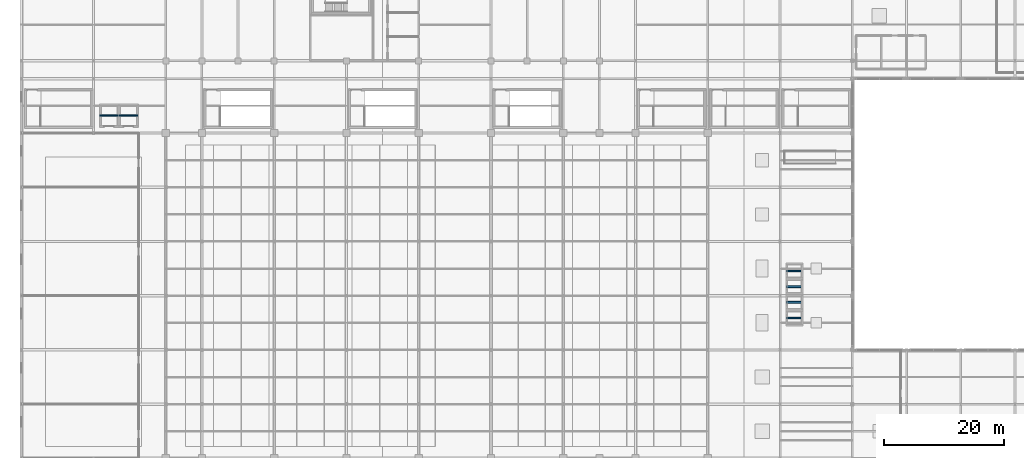
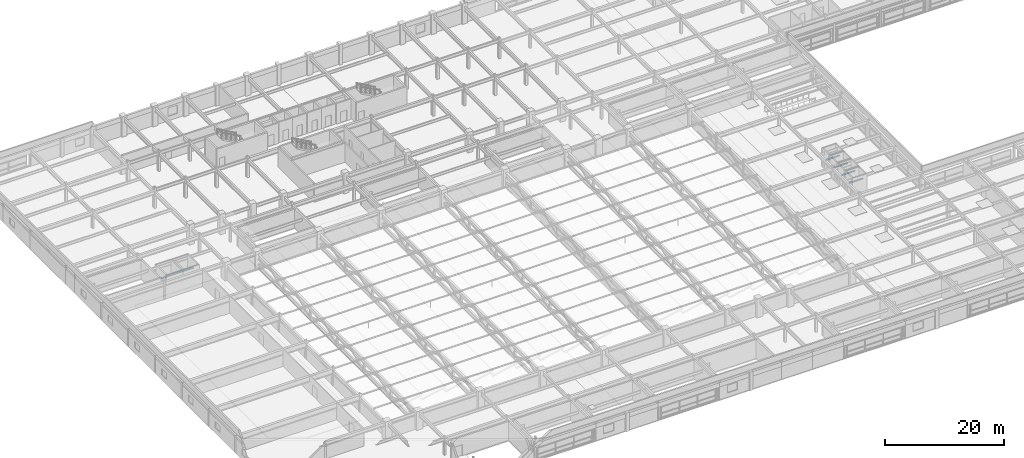
# One storey, part 104 of 108: 6 discrete accessories.
"""IFC4 building model written with IfcOpenShell, lengths in metres."""

from ifc_helpers import new_model, si_unit, direction, frame, origin, origin_2d, place, context, subcontext, project, spatial, rectangle, extrude, material, type_object, element, save


model = new_model("IFC4")

# Units and contexts
model_context = context("Model", 3, precision=1e-05, world=origin(), true_north=direction((0.0, 1.0)))
body_context = subcontext(model_context, "Body", "Model", "MODEL_VIEW")
ifc_project = project(units=[si_unit("LENGTHUNIT", "METRE"), si_unit("AREAUNIT", "SQUARE_METRE"), si_unit("VOLUMEUNIT", "CUBIC_METRE"), si_unit("PLANEANGLEUNIT", "RADIAN"), si_unit("MASSUNIT", "GRAM", prefix="KILO")], contexts=[model_context])

# Site, building, storey
site_placement = place(None, origin())
site = spatial("IfcSite", under=ifc_project, at=site_placement, CompositionType="ELEMENT")
building_placement = place(site_placement, origin())
building = spatial("IfcBuilding", under=site, at=building_placement, Name="Kaldorvane Square Convention Centre", CompositionType="ELEMENT")
storey_placement = place(building_placement, frame((0.0, 0.0, 23.399993896484375)))
storey = spatial("IfcBuildingStorey", under=building, at=storey_placement, Name="L04", CompositionType="ELEMENT", Elevation=23.399993896484375)

# Discrete accessories
ifc_material = material(Name="Architectural Painted Steel", Category="steel")
discrete_accessory_type = type_object("IfcDiscreteAccessoryType", Name="AC-LFT-BEAM", PredefinedType="BRACKET", material=ifc_material)
for number, where, z_axis, x_axis, name in (
    (1, (128.39999389648438, 41.30000305175781, 2.010009765625), (0.0, 0.0, 1.0), (1.0, 0.0, 0.0), "Elevator Overhead Sheave Support EL-C1"),
    (2, (128.39999389648438, 43.899993896484375, 2.010009765625), (0.0, 0.0, 1.0), (1.0, 0.0, 0.0), "Elevator Overhead Sheave Support EL-C2"),
    (3, (128.39999389648438, 46.5, 2.010009765625), (0.0, 0.0, 1.0), (1.0, 0.0, 0.0), "Elevator Overhead Sheave Support EL-C3"),
    (4, (128.39999389648438, 49.100006103515625, 2.010009765625), (0.0, 0.0, 1.0), (1.0, 0.0, 0.0), "Elevator Overhead Sheave Support EL-C4"),
):
    element("IfcDiscreteAccessory", number, at=place(storey_placement, frame(where, z_axis=z_axis, x_axis=x_axis)), inside=storey, type_object=discrete_accessory_type, Name=name, PredefinedType="BRACKET", context=body_context, shape_type="SweptSolid", body=[
        extrude(rectangle(XDim=2.6999969482421875, YDim=0.279998779296875, at=origin_2d()), origin(), (0.0, 0.0, 1.0), 0.1999969482421875),
    ])
for number, where, z_axis, x_axis, name in (
    (5, (14.600006103515625, 74.89999389648438, 2.010009765625), (0.0, 0.0, 1.0), (1.0, 0.0, 0.0), "Elevator Overhead Sheave Support EL-G1"),
    (6, (17.800003051757812, 74.89999389648438, 2.010009765625), (0.0, 0.0, 1.0), (1.0, 0.0, 0.0), "Elevator Overhead Sheave Support EL-G2"),
):
    element("IfcDiscreteAccessory", number, at=place(storey_placement, frame(where, z_axis=z_axis, x_axis=x_axis)), inside=storey, type_object=discrete_accessory_type, Name=name, PredefinedType="BRACKET", context=body_context, shape_type="SweptSolid", body=[
        extrude(rectangle(XDim=3.100006103515625, YDim=0.279998779296875, at=origin_2d()), origin(), (0.0, 0.0, 1.0), 0.1999969482421875),
    ])

save(model, "model.ifc")
